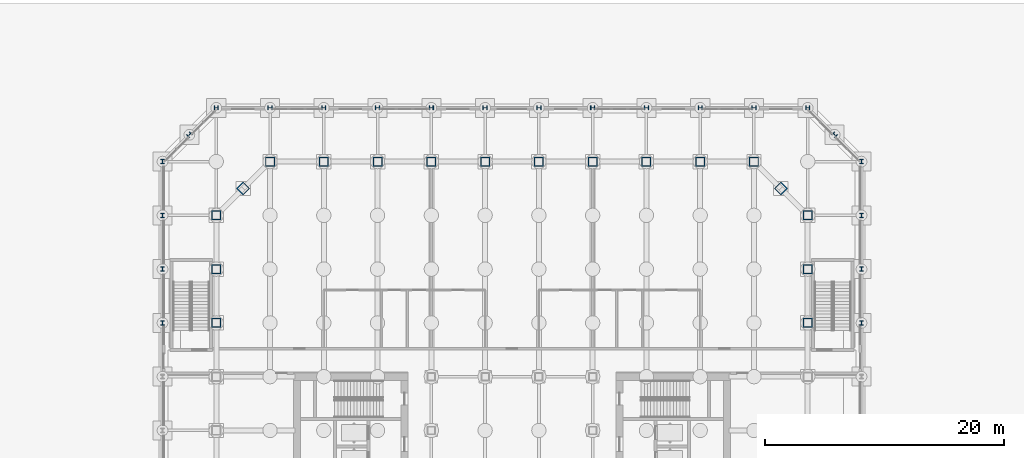
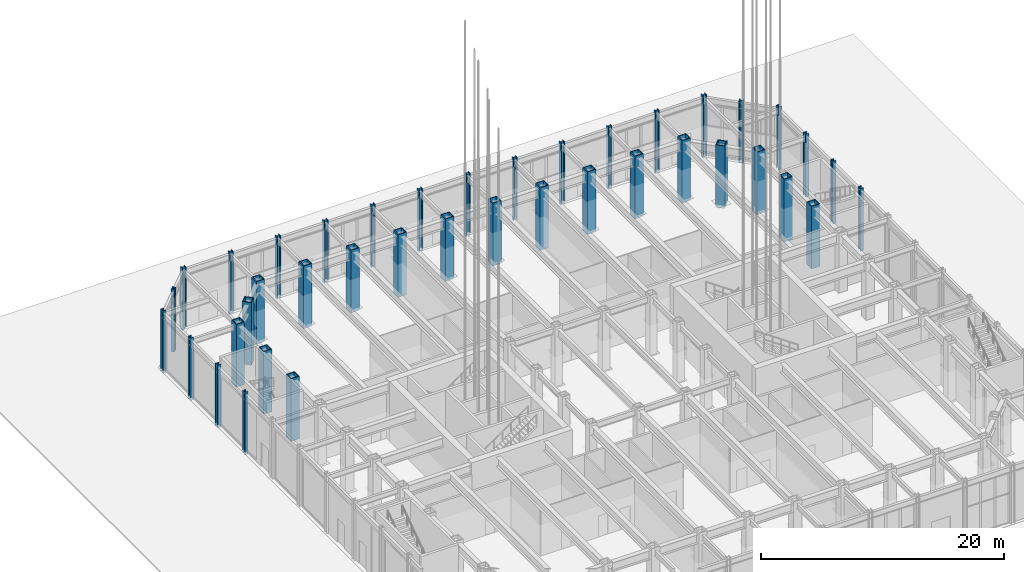
# One storey, part 4 of 39: 40 columns.
"""IFC4 building model written with IfcOpenShell, lengths in metres."""

from ifc_helpers import new_model, si_unit, direction, frame, origin, origin_2d, place, context, subcontext, project, spatial, hollow_rectangle, i_section, extrude, material, material_profile, profile_set, type_object, element, save


model = new_model("IFC4")

# Units and contexts
model_context = context("Model", 3, precision=1e-05, world=origin(), true_north=direction((0.0, 1.0)))
body_context = subcontext(model_context, "Body", "Model", "MODEL_VIEW")
ifc_project = project(units=[si_unit("LENGTHUNIT", "METRE"), si_unit("AREAUNIT", "SQUARE_METRE"), si_unit("VOLUMEUNIT", "CUBIC_METRE"), si_unit("PLANEANGLEUNIT", "RADIAN"), si_unit("MASSUNIT", "GRAM", prefix="KILO")], contexts=[model_context])

# Site, building, storey
site_placement = place(None, origin())
site = spatial("IfcSite", under=ifc_project, at=site_placement, CompositionType="ELEMENT")
building_placement = place(site_placement, origin())
building = spatial("IfcBuilding", under=site, at=building_placement, Name="Msasa Ring Tower", CompositionType="ELEMENT")
storey_placement = place(building_placement, origin())
storey = spatial("IfcBuildingStorey", under=building, at=storey_placement, Name="L00", CompositionType="ELEMENT", Elevation=0.0)

# Columns
ifc_material_1 = material(Name="Steel S355", Category="steel")
ifc_material_profile_1 = material_profile(ifc_material_1, i_section(OverallWidth=0.322265625, OverallDepth=0.365234375, WebThickness=0.02685546875, FlangeThickness=0.044189453125, FilletRadius=0.01513671875, at=origin_2d()), Name="UC 305x305x283")
ifc_profile_set_1 = profile_set([ifc_material_profile_1], Name="Steel S355")
column_type_1 = type_object("IfcColumnType", Name="PC1 UC 305x305x283", PredefinedType="COLUMN", material=ifc_profile_set_1)
for number, where, z_axis, x_axis, name in (
    (1, (-24.75, 29.25, -0.300048828125), (0.0, 0.0, 1.0), (0.0, 1.0, 0.0), "Podium column N-24.75 L00"),
    (2, (-20.25, 29.25, -0.300048828125), (0.0, 0.0, 1.0), (0.0, 1.0, 0.0), "Podium column N-20.25 L00"),
    (3, (-15.75, 29.25, -0.300048828125), (0.0, 0.0, 1.0), (0.0, 1.0, 0.0), "Podium column N-15.75 L00"),
    (4, (-11.25, 29.25, -0.300048828125), (0.0, 0.0, 1.0), (0.0, 1.0, 0.0), "Podium column N-11.25 L00"),
    (5, (-6.75, 29.25, -0.300048828125), (0.0, 0.0, 1.0), (0.0, 1.0, 0.0), "Podium column N-6.75 L00"),
    (6, (-2.25, 29.25, -0.300048828125), (0.0, 0.0, 1.0), (0.0, 1.0, 0.0), "Podium column N-2.25 L00"),
    (7, (2.25, 29.25, -0.300048828125), (0.0, 0.0, 1.0), (0.0, 1.0, 0.0), "Podium column N+2.25 L00"),
    (8, (6.75, 29.25, -0.300048828125), (0.0, 0.0, 1.0), (0.0, 1.0, 0.0), "Podium column N+6.75 L00"),
    (9, (11.25, 29.25, -0.300048828125), (0.0, 0.0, 1.0), (0.0, 1.0, 0.0), "Podium column N+11.25 L00"),
    (10, (29.25, 11.25, -0.300048828125), (0.0, 0.0, 1.0), (1.0, 0.0, 0.0), "Podium column E+11.25 L00"),
    (11, (-29.25, 11.25, -0.300048828125), (0.0, 0.0, 1.0), (1.0, 0.0, 0.0), "Podium column W+11.25 L00"),
    (12, (15.75, 29.25, -0.300048828125), (0.0, 0.0, 1.0), (0.0, 1.0, 0.0), "Podium column N+15.75 L00"),
    (13, (29.25, 15.75, -0.300048828125), (0.0, 0.0, 1.0), (1.0, 0.0, 0.0), "Podium column E+15.75 L00"),
    (14, (-29.25, 15.75, -0.300048828125), (0.0, 0.0, 1.0), (1.0, 0.0, 0.0), "Podium column W+15.75 L00"),
    (15, (20.25, 29.25, -0.300048828125), (0.0, 0.0, 1.0), (0.0, 1.0, 0.0), "Podium column N+20.25 L00"),
    (16, (29.25, 20.25, -0.300048828125), (0.0, 0.0, 1.0), (1.0, 0.0, 0.0), "Podium column E+20.25 L00"),
    (17, (-29.25, 20.25, -0.300048828125), (0.0, 0.0, 1.0), (1.0, 0.0, 0.0), "Podium column W+20.25 L00"),
    (18, (24.75, 29.25, -0.300048828125), (0.0, 0.0, 1.0), (0.0, 1.0, 0.0), "Podium column N+24.75 L00"),
    (19, (29.25, 24.75, -0.300048828125), (0.0, 0.0, 1.0), (1.0, 0.0, 0.0), "Podium column E+24.75 L00"),
    (20, (-29.25, 24.75, -0.300048828125), (0.0, 0.0, 1.0), (1.0, 0.0, 0.0), "Podium column W+24.75 L00"),
    (21, (27.0, 27.0, -0.300048828125), (0.0, 0.0, 1.0), (0.707106781187, 0.707106781187, 0.0), "Podium column NE L00"),
    (22, (-27.0, 27.0, -0.300048828125), (0.0, 0.0, 1.0), (0.707106781187, -0.707106781187, 0.0), "Podium column NW L00"),
):
    element("IfcColumn", number, at=place(storey_placement, frame(where, z_axis=z_axis, x_axis=x_axis)), inside=storey, type_object=column_type_1, Name=name, PredefinedType="COLUMN", context=body_context, shape_type="SweptSolid", body=[
        extrude(i_section(OverallWidth=0.322265625, OverallDepth=0.365234375, WebThickness=0.02685546875, FlangeThickness=0.044189453125, FilletRadius=0.01513671875, at=origin_2d()), origin(), (0.0, 0.0, 1.0), 6.300048828125),
    ])
ifc_material_2 = material(Name="Steel S355", Category="steel")
ifc_material_profile_2 = material_profile(ifc_material_2, hollow_rectangle(XDim=0.800048828125, YDim=0.800048828125, WallThickness=0.080078125, at=origin_2d()), Name="BOX 800x800x80")
ifc_profile_set_2 = profile_set([ifc_material_profile_2], Name="Steel S355")
column_type_2 = type_object("IfcColumnType", Name="TC1 BOX 800x800x80", PredefinedType="COLUMN", material=ifc_profile_set_2)
for number, where, z_axis, x_axis, name in (
    (23, (-20.25, 24.75, -0.300048828125), (0.0, 0.0, 1.0), (0.0, 1.0, 0.0), "Tube column N-20.25 L00"),
    (24, (-15.75, 24.75, -0.300048828125), (0.0, 0.0, 1.0), (0.0, 1.0, 0.0), "Tube column N-15.75 L00"),
    (25, (-11.25, 24.75, -0.300048828125), (0.0, 0.0, 1.0), (0.0, 1.0, 0.0), "Tube column N-11.25 L00"),
    (26, (-6.75, 24.75, -0.300048828125), (0.0, 0.0, 1.0), (0.0, 1.0, 0.0), "Tube column N-6.75 L00"),
    (27, (-2.25, 24.75, -0.300048828125), (0.0, 0.0, 1.0), (0.0, 1.0, 0.0), "Tube column N-2.25 L00"),
    (28, (2.25, 24.75, -0.300048828125), (0.0, 0.0, 1.0), (0.0, 1.0, 0.0), "Tube column N+2.25 L00"),
    (29, (6.75, 24.75, -0.300048828125), (0.0, 0.0, 1.0), (0.0, 1.0, 0.0), "Tube column N+6.75 L00"),
    (30, (11.25, 24.75, -0.300048828125), (0.0, 0.0, 1.0), (0.0, 1.0, 0.0), "Tube column N+11.25 L00"),
    (31, (24.75, 11.25, -0.300048828125), (0.0, 0.0, 1.0), (1.0, 0.0, 0.0), "Tube column E+11.25 L00"),
    (32, (-24.75, 11.25, -0.300048828125), (0.0, 0.0, 1.0), (1.0, 0.0, 0.0), "Tube column W+11.25 L00"),
    (33, (15.75, 24.75, -0.300048828125), (0.0, 0.0, 1.0), (0.0, 1.0, 0.0), "Tube column N+15.75 L00"),
    (34, (24.75, 15.75, -0.300048828125), (0.0, 0.0, 1.0), (1.0, 0.0, 0.0), "Tube column E+15.75 L00"),
    (35, (-24.75, 15.75, -0.300048828125), (0.0, 0.0, 1.0), (1.0, 0.0, 0.0), "Tube column W+15.75 L00"),
    (36, (20.25, 24.75, -0.300048828125), (0.0, 0.0, 1.0), (0.0, 1.0, 0.0), "Tube column N+20.25 L00"),
    (37, (24.75, 20.25, -0.300048828125), (0.0, 0.0, 1.0), (1.0, 0.0, 0.0), "Tube column E+20.25 L00"),
    (38, (-24.75, 20.25, -0.300048828125), (0.0, 0.0, 1.0), (1.0, 0.0, 0.0), "Tube column W+20.25 L00"),
    (39, (22.5, 22.5, -0.300048828125), (0.0, 0.0, 1.0), (0.707106781187, 0.707106781187, 0.0), "Tube column NE L00"),
    (40, (-22.5, 22.5, -0.300048828125), (0.0, 0.0, 1.0), (0.707106781187, -0.707106781187, 0.0), "Tube column NW L00"),
):
    element("IfcColumn", number, at=place(storey_placement, frame(where, z_axis=z_axis, x_axis=x_axis)), inside=storey, type_object=column_type_2, Name=name, PredefinedType="COLUMN", context=body_context, shape_type="SweptSolid", body=[
        extrude(hollow_rectangle(XDim=0.800048828125, YDim=0.800048828125, WallThickness=0.080078125, at=origin_2d()), origin(), (0.0, 0.0, 1.0), 6.300048828125),
    ])

save(model, "model.ifc")
